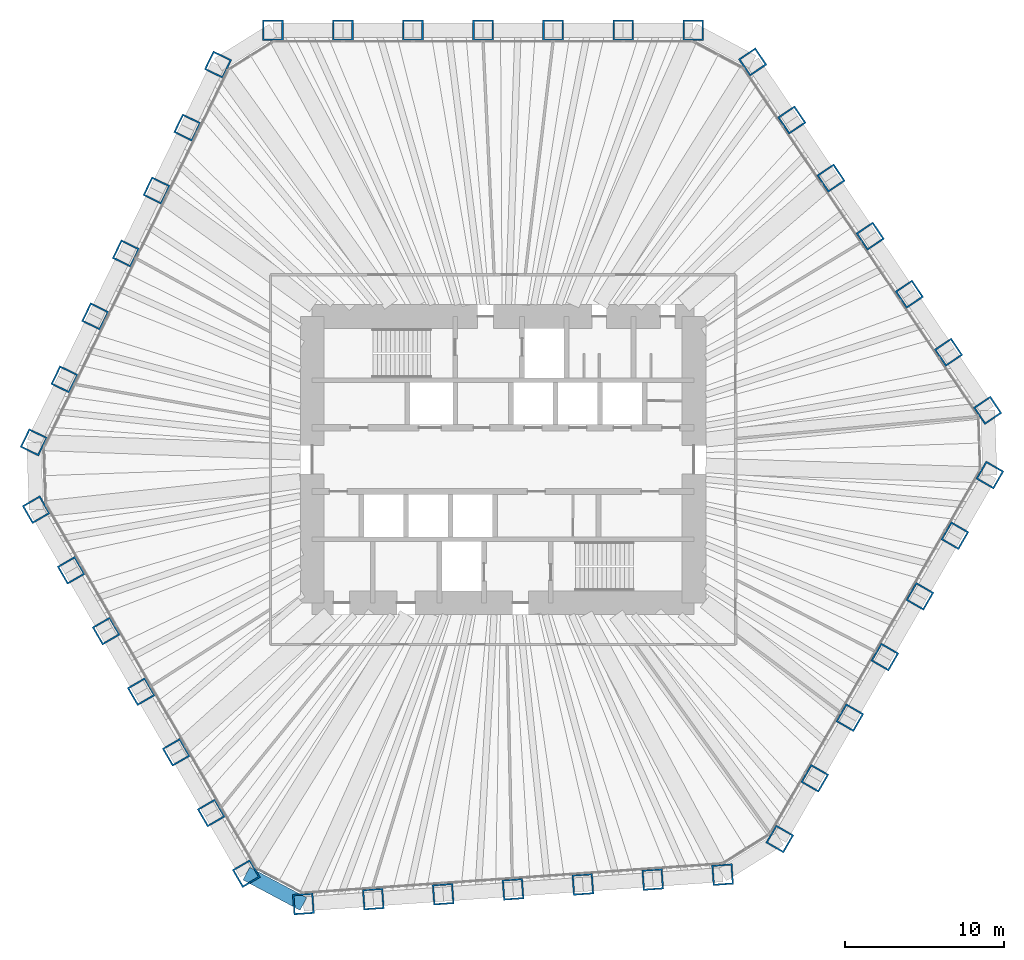
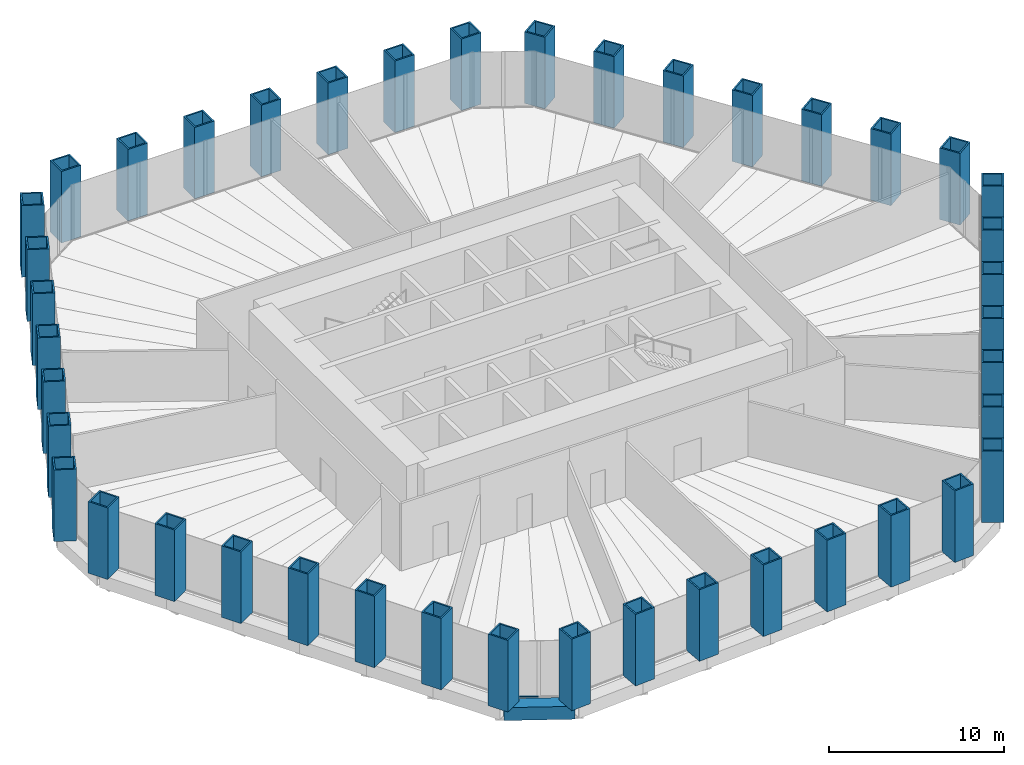
# One storey, part 1 of 13: 42 columns, 1 beam, 1 member, 1 element without a shape of its own.
"""IFC4 building model written with IfcOpenShell, lengths in metres."""

from ifc_helpers import new_model, si_unit, direction, frame, origin, origin_2d, place, context, subcontext, project, spatial, rectangle, hollow_rectangle, extrude, material, material_profile, profile_set, type_object, element, aggregate, save


model = new_model("IFC4")

# Units and contexts
model_context = context("Model", 3, precision=1e-05, world=origin(), true_north=direction((0.0, 1.0)))
body_context = subcontext(model_context, "Body", "Model", "MODEL_VIEW")
ifc_project = project(units=[si_unit("LENGTHUNIT", "METRE"), si_unit("AREAUNIT", "SQUARE_METRE"), si_unit("VOLUMEUNIT", "CUBIC_METRE"), si_unit("PLANEANGLEUNIT", "RADIAN"), si_unit("MASSUNIT", "GRAM", prefix="KILO")], contexts=[model_context])

# Site, building, storey
site_placement = place(None, origin())
site = spatial("IfcSite", under=ifc_project, at=site_placement, CompositionType="ELEMENT")
building_placement = place(site_placement, origin())
building = spatial("IfcBuilding", under=site, at=building_placement, Name="Qingtian Harvest Tower", CompositionType="ELEMENT")
storey_placement = place(building_placement, frame((0.0, 0.0, 92.0)))
storey = spatial("IfcBuildingStorey", under=building, at=storey_placement, Name="L18", CompositionType="ELEMENT", Elevation=92.0)

# Columns
ifc_material_1 = material(Name="Steel SM570MC", Category="steel")
ifc_material_profile_1 = material_profile(ifc_material_1, hollow_rectangle(XDim=1.300048828125, YDim=1.300048828125, WallThickness=0.10009765625, at=origin_2d()), Name="BOX1300x1300x100")
ifc_profile_set_1 = profile_set([ifc_material_profile_1], Name="Steel SM570MC")
column_type = type_object("IfcColumnType", Name="Transition tube column TK1 BOX1300x1300x100", PredefinedType="COLUMN", material=ifc_profile_set_1)
for number, where, z_axis, x_axis, name in (
    (1, (-14.471435546875, 27.0, 0.0), (0.0, 0.0, 1.0), (-1.0, 0.0, 0.0), "Tube column TK1 N0"),
    (2, (-10.06689453125, 27.0, 0.0), (0.0, 0.0, 1.0), (-1.0, 0.0, 0.0), "Tube column TK1 N1"),
    (3, (-5.662353515625, 27.0, 0.0), (0.0, 0.0, 1.0), (-1.0, 0.0, 0.0), "Tube column TK1 N2"),
    (4, (-1.257568359375, 27.0, 0.0), (0.0, 0.0, 1.0), (-1.0, 0.0, 0.0), "Tube column TK1 N3"),
    (5, (3.14697265625, 27.0, 0.0), (0.0, 0.0, 1.0), (-1.0, 0.0, 0.0), "Tube column TK1 N4"),
    (6, (7.551513671875, 27.0, 0.0), (0.0, 0.0, 1.0), (-1.0, 0.0, 0.0), "Tube column TK1 N5"),
    (7, (11.9560546875, 27.0, 0.0), (0.0, 0.0, 1.0), (-1.0, 0.0, 0.0), "Tube column TK1 N6"),
    (8, (15.6982421875, 25.01025390625, 0.0), (0.0, 0.0, 1.0), (-0.559192903471, 0.829037572555, 0.0), "Tube column TK1 NE0"),
    (9, (18.1611328125, 21.358642578125, 0.0), (0.0, 0.0, 1.0), (-0.559192903471, 0.829037572555, 0.0), "Tube column TK1 NE1"),
    (10, (20.624267578125, 17.70703125, 0.0), (0.0, 0.0, 1.0), (-0.559192903471, 0.829037572555, 0.0), "Tube column TK1 NE2"),
    (11, (23.08740234375, 14.0556640625, 0.0), (0.0, 0.0, 1.0), (-0.559192903471, 0.829037572555, 0.0), "Tube column TK1 NE3"),
    (12, (25.55029296875, 10.404052734375, 0.0), (0.0, 0.0, 1.0), (-0.559192903471, 0.829037572555, 0.0), "Tube column TK1 NE4"),
    (13, (28.013427734375, 6.75244140625, 0.0), (0.0, 0.0, 1.0), (-0.559192903471, 0.829037572555, 0.0), "Tube column TK1 NE5"),
    (14, (30.476318359375, 3.100830078125, 0.0), (0.0, 0.0, 1.0), (-0.559192903471, 0.829037572555, 0.0), "Tube column TK1 NE6"),
    (15, (30.618408203125, -0.96728515625, 0.0), (0.0, 0.0, 1.0), (0.5, 0.866025403784, 0.0), "Tube column TK1 SE0"),
    (16, (28.416015625, -4.78173828125, 0.0), (0.0, 0.0, 1.0), (0.5, 0.866025403784, 0.0), "Tube column TK1 SE1"),
    (17, (26.2138671875, -8.596435546875, 0.0), (0.0, 0.0, 1.0), (0.5, 0.866025403784, 0.0), "Tube column TK1 SE2"),
    (18, (24.011474609375, -12.410888671875, 0.0), (0.0, 0.0, 1.0), (0.5, 0.866025403784, 0.0), "Tube column TK1 SE3"),
    (19, (21.809326171875, -16.225341796875, 0.0), (0.0, 0.0, 1.0), (0.5, 0.866025403784, 0.0), "Tube column TK1 SE4"),
    (20, (19.60693359375, -20.039794921875, 0.0), (0.0, 0.0, 1.0), (0.5, 0.866025403784, 0.0), "Tube column TK1 SE5"),
    (21, (17.404541015625, -23.854248046875, 0.0), (0.0, 0.0, 1.0), (0.5, 0.866025403784, 0.0), "Tube column TK1 SE6"),
    (22, (13.810546875, -26.10009765625, 0.0), (0.0, 0.0, 1.0), (0.99756405026, 0.069756473744, 0.0), "Tube column TK1 S0"),
    (23, (9.41650390625, -26.407470703125, 0.0), (0.0, 0.0, 1.0), (0.99756405026, 0.069756473744, 0.0), "Tube column TK1 S1"),
    (24, (5.022705078125, -26.714599609375, 0.0), (0.0, 0.0, 1.0), (0.99756405026, 0.069756473744, 0.0), "Tube column TK1 S2"),
    (25, (0.62890625, -27.02197265625, 0.0), (0.0, 0.0, 1.0), (0.99756405026, 0.069756473744, 0.0), "Tube column TK1 S3"),
    (26, (-3.76513671875, -27.3291015625, 0.0), (0.0, 0.0, 1.0), (0.99756405026, 0.069756473744, 0.0), "Tube column TK1 S4"),
    (27, (-8.158935546875, -27.636474609375, 0.0), (0.0, 0.0, 1.0), (0.99756405026, 0.069756473744, 0.0), "Tube column TK1 S5"),
    (28, (-12.552734375, -27.943603515625, 0.0), (0.0, 0.0, 1.0), (0.99756405026, 0.069756473744, 0.0), "Tube column TK1 S6"),
    (29, (-16.14697265625, -26.03271484375, 0.0), (0.0, 0.0, 1.0), (0.5, -0.866025403784, 0.0), "Tube column TK1 SW0"),
    (30, (-18.349365234375, -22.21826171875, 0.0), (0.0, 0.0, 1.0), (0.5, -0.866025403784, 0.0), "Tube column TK1 SW1"),
    (31, (-20.551513671875, -18.403564453125, 0.0), (0.0, 0.0, 1.0), (0.5, -0.866025403784, 0.0), "Tube column TK1 SW2"),
    (32, (-22.75390625, -14.589111328125, 0.0), (0.0, 0.0, 1.0), (0.5, -0.866025403784, 0.0), "Tube column TK1 SW3"),
    (33, (-24.9560546875, -10.774658203125, 0.0), (0.0, 0.0, 1.0), (0.5, -0.866025403784, 0.0), "Tube column TK1 SW4"),
    (34, (-27.158447265625, -6.960205078125, 0.0), (0.0, 0.0, 1.0), (0.5, -0.866025403784, 0.0), "Tube column TK1 SW5"),
    (35, (-29.36083984375, -3.145751953125, 0.0), (0.0, 0.0, 1.0), (0.5, -0.866025403784, 0.0), "Tube column TK1 SW6"),
    (36, (-29.5087890625, 1.08984375, 0.0), (0.0, 0.0, 1.0), (-0.438371146789, -0.898794046299, 0.0), "Tube column TK1 NW0"),
    (37, (-27.577880859375, 5.048828125, 0.0), (0.0, 0.0, 1.0), (-0.438371146789, -0.898794046299, 0.0), "Tube column TK1 NW1"),
    (38, (-25.64697265625, 9.007568359375, 0.0), (0.0, 0.0, 1.0), (-0.438371146789, -0.898794046299, 0.0), "Tube column TK1 NW2"),
    (39, (-23.716064453125, 12.96630859375, 0.0), (0.0, 0.0, 1.0), (-0.438371146789, -0.898794046299, 0.0), "Tube column TK1 NW3"),
    (40, (-21.78515625, 16.92529296875, 0.0), (0.0, 0.0, 1.0), (-0.438371146789, -0.898794046299, 0.0), "Tube column TK1 NW4"),
    (41, (-19.8544921875, 20.884033203125, 0.0), (0.0, 0.0, 1.0), (-0.438371146789, -0.898794046299, 0.0), "Tube column TK1 NW5"),
    (42, (-17.923583984375, 24.8427734375, 0.0), (0.0, 0.0, 1.0), (-0.438371146789, -0.898794046299, 0.0), "Tube column TK1 NW6"),
):
    element("IfcColumn", number, at=place(storey_placement, frame(where, z_axis=z_axis, x_axis=x_axis)), inside=storey, type_object=column_type, Name=name, PredefinedType="COLUMN", context=body_context, shape_type="SweptSolid", body=[
        extrude(hollow_rectangle(XDim=1.300048828125, YDim=1.300048828125, WallThickness=0.10009765625, at=origin_2d()), origin(), (0.0, 0.0, 1.0), 5.0),
    ])

# Beam
ifc_material_2 = material(Name="Steel SM570MC", Category="steel")
ifc_material_profile_2 = material_profile(ifc_material_2, hollow_rectangle(XDim=0.89990234375, YDim=0.89990234375, WallThickness=0.050048828125, at=origin_2d()), Name="BOX900x900x50")
ifc_profile_set_2 = profile_set([ifc_material_profile_2], Name="Steel SM570MC")
beam_type = type_object("IfcBeamType", Name="Transition spandrel SB6 BOX900x900x50", PredefinedType="SPANDREL", material=ifc_profile_set_2)
beam_placement = place(storey_placement, frame((-12.552734375, -27.943603515625, -0.449951171875), z_axis=(-0.882968133669, 0.469432929101, 0.0), x_axis=(-0.469432929101, -0.882968133669, 0.0)))
element("IfcBeam", 43, at=beam_placement, inside=storey, type_object=beam_type, Name="Spandrel SB6 SC", PredefinedType="SPANDREL", context=body_context, shape_type="SweptSolid", body=[
    extrude(hollow_rectangle(XDim=0.89990234375, YDim=0.89990234375, WallThickness=0.050048828125, at=origin_2d()), origin(), (0.0, 0.0, 1.0), 4.070556640625),
])

# Curtain wall, member
ifc_material_3 = material(Name="Bronze-anodised aluminium curtain wall", Category="aluminium")
curtain_wall_type = type_object("IfcCurtainWallType", Name="Curtain wall CW2 farm reception", PredefinedType="USERDEFINED", material=ifc_material_3)
curtain_wall_placement = place(storey_placement, origin())
curtain_wall = element("IfcCurtainWall", 44, at=curtain_wall_placement, inside=storey, type_object=curtain_wall_type, Name="Curtain wall CW2 L18 SC", ObjectType="RECESSED CURTAIN WALL", PredefinedType="USERDEFINED")
ifc_material_4 = material(Name="Bronze-anodised aluminium transom", Category="aluminium")
ifc_material_profile_3 = material_profile(ifc_material_4, rectangle(XDim=0.14990234375, YDim=0.06494140625, at=origin_2d()), Name="AL 65x150")
ifc_profile_set_3 = profile_set([ifc_material_profile_3], Name="Bronze-anodised aluminium transom")
member_type = type_object("IfcMemberType", Name="Transom CWT 65x150", PredefinedType="USERDEFINED", material=ifc_profile_set_3)
member_placement = place(storey_placement, frame((-14.099853515625, -26.44873046875, 0.032470703125), z_axis=(-0.882960338349, 0.46944759122, 0.0), x_axis=(-0.46944759122, -0.882960338349, 0.0)))
member = element("IfcMember", 45, at=member_placement, type_object=member_type, Name="CW2 transom 2.1", ObjectType="TRANSOM", PredefinedType="USERDEFINED", context=body_context, shape_type="SweptSolid", body=[
    extrude(rectangle(XDim=0.14990234375, YDim=0.06494140625, at=origin_2d()), origin(), (0.0, 0.0, 1.0), 1.56689453125),
])
aggregate(curtain_wall, [member])

save(model, "model.ifc")
